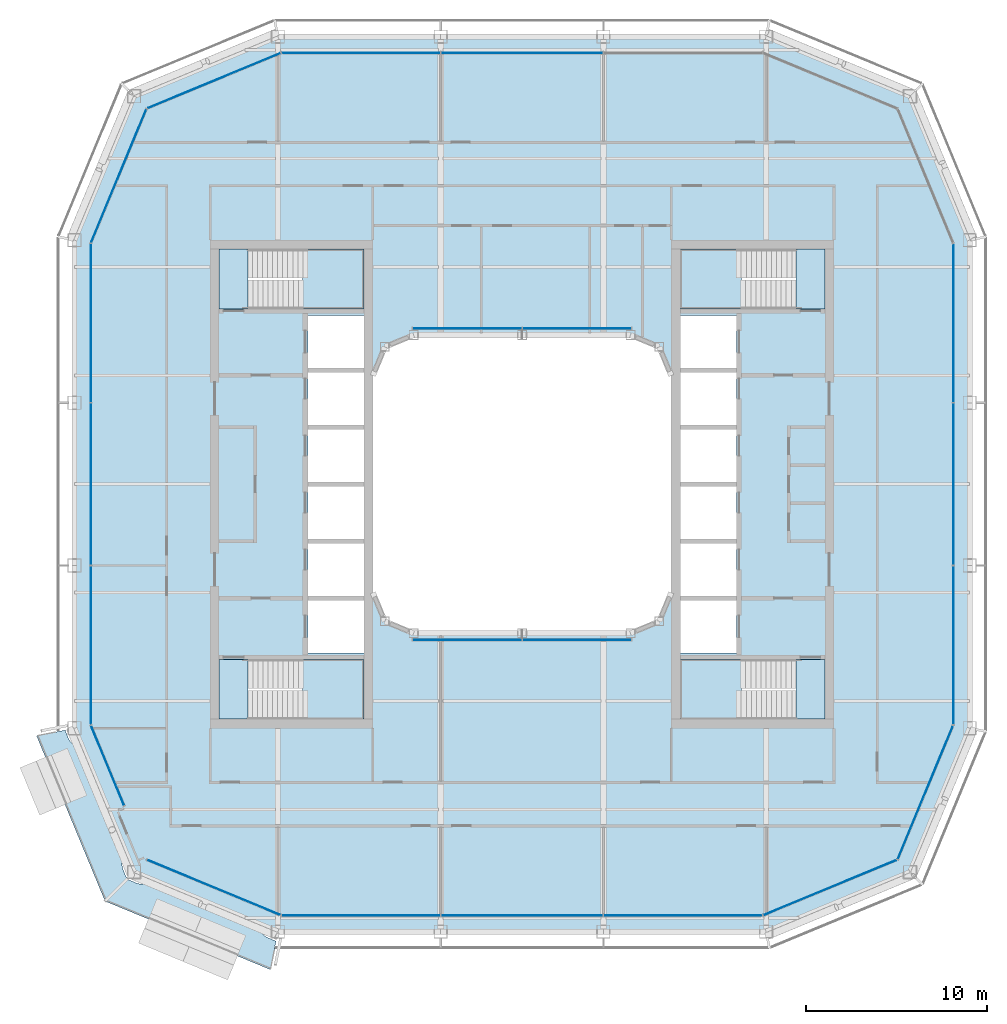
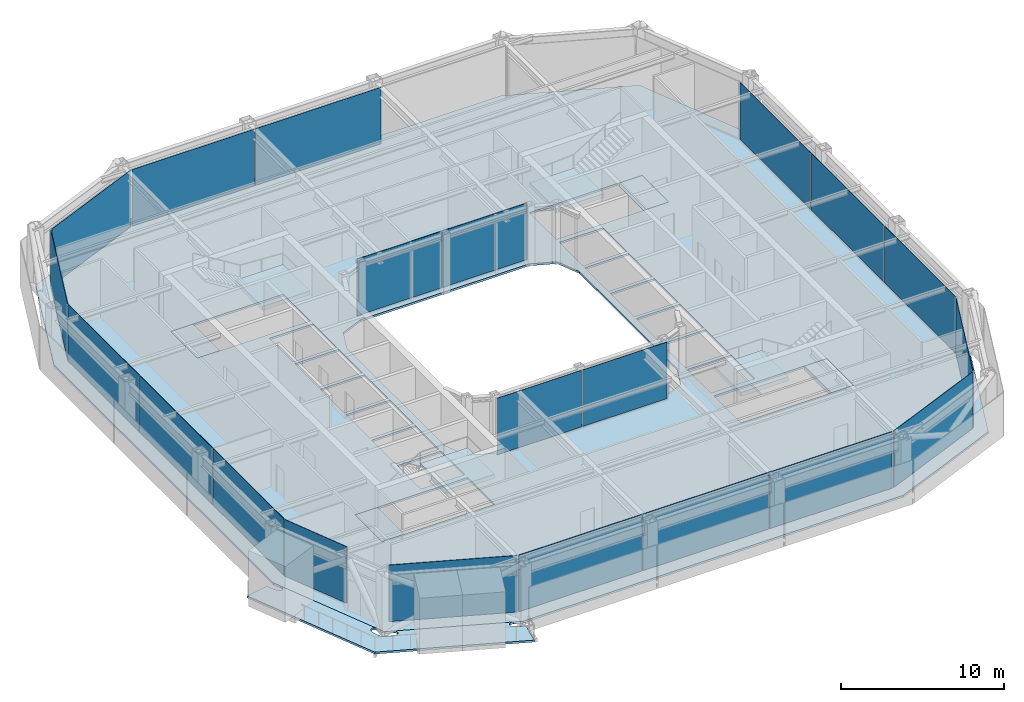
# One storey, part 9 of 20: 21 plates, 10 slabs, 16 elements without a shape of their own.
"""IFC4 building model written with IfcOpenShell, lengths in metres."""

from ifc_helpers import new_model, si_unit, direction, frame, origin, origin_2d, place, context, subcontext, project, spatial, polyline, rectangle, outline, extrude, material, layer, layer_set, type_object, element, aggregate, save


model = new_model("IFC4")

# Units and contexts
model_context = context("Model", 3, precision=1e-05, world=origin(), true_north=direction((0.0, 1.0)))
body_context = subcontext(model_context, "Body", "Model", "MODEL_VIEW")
ifc_project = project(units=[si_unit("LENGTHUNIT", "METRE"), si_unit("AREAUNIT", "SQUARE_METRE"), si_unit("VOLUMEUNIT", "CUBIC_METRE"), si_unit("PLANEANGLEUNIT", "RADIAN"), si_unit("MASSUNIT", "GRAM", prefix="KILO")], contexts=[model_context])

# Site, building, storey
site_placement = place(None, origin())
site = spatial("IfcSite", under=ifc_project, at=site_placement, CompositionType="ELEMENT")
building_placement = place(site_placement, origin())
building = spatial("IfcBuilding", under=site, at=building_placement, Name="Siwar Civic Tower", CompositionType="ELEMENT")
storey_placement = place(building_placement, frame((0.0, 0.0, 316.699951171875)))
storey = spatial("IfcBuildingStorey", under=building, at=storey_placement, Name="L68", CompositionType="ELEMENT", Elevation=316.699951171875)

# Stair, slabs
ifc_material_1 = material(Name="Concrete C40/50", Category="concrete")
stair_type = type_object("IfcStairType", Name="CORE-STAIR", PredefinedType="TWO_STRAIGHT_RUN_STAIR", material=ifc_material_1)
stair_1_placement = place(storey_placement, origin())
stair_1 = element("IfcStair", 1, at=stair_1_placement, inside=storey, type_object=stair_type, Name="Exit stair ST1", PredefinedType="TWO_STRAIGHT_RUN_STAIR")
ifc_material_2 = material(Name="Concrete C40/50", Category="concrete")
ifc_layer_1 = layer(ifc_material_2, 0.300048828125)
ifc_layer_set_1 = layer_set([ifc_layer_1], Name="Concrete C40/50")
slab_type_1 = type_object("IfcSlabType", Name="CORE-STAIR-LANDING", PredefinedType="LANDING", material=ifc_layer_set_1)
slab_1_placement = place(storey_placement, frame((0.0, 0.0, -0.300048828125)))
slab_1 = element("IfcSlab", 2, at=slab_1_placement, type_object=slab_type_1, Name="ST1 landing 1", PredefinedType="LANDING", context=body_context, shape_type="SweptSolid", body=[
    extrude(outline(polyline([(-15.14990234375, 13.0), (-16.75, 13.0), (-16.75, 9.699951171875), (-15.14990234375, 9.699951171875), (-15.14990234375, 13.0)])), origin(), (0.0, 0.0, 1.0), 0.300048828125),
])
slab_2_placement = place(storey_placement, frame((0.0, 0.0, 1.949951171875)))
slab_2 = element("IfcSlab", 3, at=slab_2_placement, type_object=slab_type_1, Name="ST1 landing 2", PredefinedType="LANDING", context=body_context, shape_type="SweptSolid", body=[
    extrude(outline(polyline([(-8.75, 13.0), (-12.139892578125, 13.0), (-12.139892578125, 9.699951171875), (-8.75, 9.699951171875), (-8.75, 13.0)])), origin(), (0.0, 0.0, 1.0), 0.300048828125),
])
aggregate(stair_1, [slab_1, slab_2])

stair_2_placement = place(storey_placement, origin())
stair_2 = element("IfcStair", 4, at=stair_2_placement, inside=storey, type_object=stair_type, Name="Exit stair ST2", PredefinedType="TWO_STRAIGHT_RUN_STAIR")
slab_3_placement = place(storey_placement, frame((0.0, 0.0, -0.300048828125)))
slab_3 = element("IfcSlab", 5, at=slab_3_placement, type_object=slab_type_1, Name="ST2 landing 1", PredefinedType="LANDING", context=body_context, shape_type="SweptSolid", body=[
    extrude(outline(polyline([(-15.14990234375, -9.699951171875), (-16.75, -9.699951171875), (-16.75, -13.0), (-15.14990234375, -13.0), (-15.14990234375, -9.699951171875)])), origin(), (0.0, 0.0, 1.0), 0.300048828125),
])
slab_4_placement = place(storey_placement, frame((0.0, 0.0, 1.949951171875)))
slab_4 = element("IfcSlab", 6, at=slab_4_placement, type_object=slab_type_1, Name="ST2 landing 2", PredefinedType="LANDING", context=body_context, shape_type="SweptSolid", body=[
    extrude(outline(polyline([(-8.75, -9.699951171875), (-12.139892578125, -9.699951171875), (-12.139892578125, -13.0), (-8.75, -13.0), (-8.75, -9.699951171875)])), origin(), (0.0, 0.0, 1.0), 0.300048828125),
])
aggregate(stair_2, [slab_3, slab_4])

stair_3_placement = place(storey_placement, origin())
stair_3 = element("IfcStair", 7, at=stair_3_placement, inside=storey, type_object=stair_type, Name="Exit stair ST3", PredefinedType="TWO_STRAIGHT_RUN_STAIR")
slab_5_placement = place(storey_placement, frame((0.0, 0.0, -0.300048828125)))
slab_5 = element("IfcSlab", 8, at=slab_5_placement, type_object=slab_type_1, Name="ST3 landing 1", PredefinedType="LANDING", context=body_context, shape_type="SweptSolid", body=[
    extrude(outline(polyline([(15.14990234375, 9.699951171875), (16.75, 9.699951171875), (16.75, 13.0), (15.14990234375, 13.0), (15.14990234375, 9.699951171875)])), origin(), (0.0, 0.0, 1.0), 0.300048828125),
])
slab_6_placement = place(storey_placement, frame((0.0, 0.0, 1.949951171875)))
slab_6 = element("IfcSlab", 9, at=slab_6_placement, type_object=slab_type_1, Name="ST3 landing 2", PredefinedType="LANDING", context=body_context, shape_type="SweptSolid", body=[
    extrude(outline(polyline([(8.75, 9.699951171875), (12.139892578125, 9.699951171875), (12.139892578125, 13.0), (8.75, 13.0), (8.75, 9.699951171875)])), origin(), (0.0, 0.0, 1.0), 0.300048828125),
])
aggregate(stair_3, [slab_5, slab_6])

stair_4_placement = place(storey_placement, origin())
stair_4 = element("IfcStair", 10, at=stair_4_placement, inside=storey, type_object=stair_type, Name="Exit stair ST4", PredefinedType="TWO_STRAIGHT_RUN_STAIR")
slab_7_placement = place(storey_placement, frame((0.0, 0.0, -0.300048828125)))
slab_7 = element("IfcSlab", 11, at=slab_7_placement, type_object=slab_type_1, Name="ST4 landing 1", PredefinedType="LANDING", context=body_context, shape_type="SweptSolid", body=[
    extrude(outline(polyline([(15.14990234375, -13.0), (16.75, -13.0), (16.75, -9.699951171875), (15.14990234375, -9.699951171875), (15.14990234375, -13.0)])), origin(), (0.0, 0.0, 1.0), 0.300048828125),
])
slab_8_placement = place(storey_placement, frame((0.0, 0.0, 1.949951171875)))
slab_8 = element("IfcSlab", 12, at=slab_8_placement, type_object=slab_type_1, Name="ST4 landing 2", PredefinedType="LANDING", context=body_context, shape_type="SweptSolid", body=[
    extrude(outline(polyline([(8.75, -13.0), (12.139892578125, -13.0), (12.139892578125, -9.699951171875), (8.75, -9.699951171875), (8.75, -13.0)])), origin(), (0.0, 0.0, 1.0), 0.300048828125),
])
aggregate(stair_4, [slab_7, slab_8])

# Slab
ifc_material_3 = material(Name="Concrete C40/50", Category="concrete")
ifc_layer_2 = layer(ifc_material_3, 0.14990234375)
ifc_layer_set_2 = layer_set([ifc_layer_2], Name="Concrete C40/50")
slab_type_2 = type_object("IfcSlabType", Name="ENV-BALCONY DECK 150", PredefinedType="FLOOR", material=ifc_layer_set_2)
slab_9_placement = place(storey_placement, frame((0.0, 0.0, -0.1494140625)))
element("IfcSlab", 13, at=slab_9_placement, inside=storey, type_object=slab_type_2, Name="Tree balcony deck SW", PredefinedType="FLOOR", context=body_context, shape_type="SweptSolid", body=[
    extrude(outline(polyline([(-21.7890625, -21.848876953125), (-21.794189453125, -21.8466796875), (-21.800537109375, -21.84326171875), (-21.806396484375, -21.839111328125), (-21.818359375, -21.829833984375), (-21.829833984375, -21.829833984375), (-21.829833984375, -21.820556640625), (-21.833251953125, -21.817626953125), (-21.849365234375, -21.801025390625), (-21.85302734375, -21.796875), (-21.856689453125, -21.79248046875), (-21.869873046875, -21.77392578125), (-21.873046875, -21.76904296875), (-21.875732421875, -21.76416015625), (-21.88623046875, -21.743896484375), (-21.888671875, -21.738525390625), (-21.888671875, -21.738525390625), (-21.8955078125, -21.72216796875), (-21.949951171875, -21.5908203125), (-22.014892578125, -21.43505859375), (-22.035400390625, -21.3857421875), (-22.042236328125, -21.369384765625), (-22.04296875, -21.367431640625), (-22.06640625, -21.306396484375), (-22.068115234375, -21.3017578125), (-22.0849609375, -21.247802734375), (-22.086181640625, -21.243408203125), (-22.099853515625, -21.1884765625), (-22.101318359375, -21.181396484375), (-22.108154296875, -21.134033203125), (-22.1083984375, -21.1328125), (-22.11572265625, -21.07666015625), (-22.1162109375, -21.070068359375), (-22.1162109375, -21.0634765625), (-22.112060546875, -20.975830078125), (-22.11083984375, -20.965087890625), (-22.103271484375, -20.92578125), (-22.101318359375, -20.91796875), (-22.0986328125, -20.910400390625), (-22.08544921875, -20.8798828125), (-22.08349609375, -20.875732421875), (-22.068603515625, -20.84619140625), (-22.06494140625, -20.839599609375), (-22.060546875, -20.833251953125), (-22.055419921875, -20.82763671875), (-22.03564453125, -20.80712890625), (-22.030517578125, -20.802490234375), (-22.02490234375, -20.798095703125), (-22.01904296875, -20.794189453125), (-22.0126953125, -20.791015625), (-21.988525390625, -20.780029296875), (-21.984375, -20.7783203125), (-21.959716796875, -20.76904296875), (-21.952880859375, -20.7666015625), (-21.946044921875, -20.76513671875), (-21.93896484375, -20.76416015625), (-21.931884765625, -20.763916015625), (-21.903564453125, -20.764404296875), (-21.89599609375, -20.764892578125), (-21.888427734375, -20.76611328125), (-21.881103515625, -20.76806640625), (-21.849609375, -20.778564453125), (-21.845458984375, -20.780029296875), (-21.814453125, -20.792236328125), (-21.80712890625, -20.795654296875), (-21.800048828125, -20.7998046875), (-21.766845703125, -20.822021484375), (-21.758544921875, -20.82861328125), (-21.693359375, -20.887451171875), (-21.688720703125, -20.89208984375), (-21.6875, -20.8935546875), (-24.516357421875, -14.063720703125), (-24.51123046875, -14.103759765625), (-24.5107421875, -14.1103515625), (-24.5107421875, -14.116943359375), (-24.514892578125, -14.20458984375), (-24.51611328125, -14.21533203125), (-24.523681640625, -14.254638671875), (-24.525634765625, -14.262451171875), (-24.5283203125, -14.27001953125), (-24.54150390625, -14.300537109375), (-24.54345703125, -14.3046875), (-24.558349609375, -14.33447265625), (-24.56201171875, -14.341064453125), (-24.56640625, -14.34716796875), (-24.571533203125, -14.352783203125), (-24.591064453125, -14.373291015625), (-24.596435546875, -14.378173828125), (-24.601806640625, -14.382568359375), (-24.60791015625, -14.38623046875), (-24.6142578125, -14.389404296875), (-24.638427734375, -14.400390625), (-24.642578125, -14.402099609375), (-24.667236328125, -14.41162109375), (-24.674072265625, -14.413818359375), (-24.680908203125, -14.415283203125), (-24.68798828125, -14.416259765625), (-24.695068359375, -14.41650390625), (-24.723388671875, -14.416015625), (-24.73095703125, -14.41552734375), (-24.738525390625, -14.414306640625), (-24.745849609375, -14.412353515625), (-24.77734375, -14.402099609375), (-24.781494140625, -14.400634765625), (-24.8125, -14.388427734375), (-24.81982421875, -14.385009765625), (-24.82666015625, -14.380859375), (-24.860107421875, -14.3583984375), (-24.868408203125, -14.351806640625), (-24.93359375, -14.29296875), (-24.938232421875, -14.288330078125), (-24.942626953125, -14.283203125), (-24.977294921875, -14.238525390625), (-24.97802734375, -14.237548828125), (-25.006591796875, -14.19921875), (-25.0107421875, -14.193115234375), (-25.0400390625, -14.144775390625), (-25.042236328125, -14.140869140625), (-25.068603515625, -14.0908203125), (-25.07080078125, -14.08642578125), (-25.09765625, -14.02685546875), (-25.098388671875, -14.02490234375), (-25.101806640625, -14.0166015625), (-25.118896484375, -13.9755859375), (-25.194091796875, -13.795166015625), (-25.22802734375, -13.713134765625), (-25.24169921875, -13.68017578125), (-25.251953125, -13.65576171875), (-25.251953125, -13.65576171875), (-25.251953125, -13.65576171875), (-25.251953125, -13.65576171875), (-25.251953125, -13.65576171875), (-25.2548828125, -13.64794921875), (-25.25927734375, -13.632568359375), (-25.260986328125, -13.625), (-25.26220703125, -13.616943359375), (-25.26318359375, -13.60205078125), (-26.85009765625, -13.917724609375), (-23.062255859375, -23.062255859375), (-13.917724609375, -26.85009765625), (-13.6015625, -25.2607421875), (-13.61376953125, -25.2607421875), (-13.620361328125, -25.2607421875), (-13.627197265625, -25.259765625), (-13.6337890625, -25.258544921875), (-13.6455078125, -25.25537109375), (-13.65576171875, -25.251953125), (-13.68017578125, -25.24169921875), (-13.713134765625, -25.22802734375), (-13.795166015625, -25.194091796875), (-13.9755859375, -25.118896484375), (-14.0166015625, -25.101806640625), (-14.02490234375, -25.098388671875), (-14.02685546875, -25.09765625), (-14.08642578125, -25.07080078125), (-14.0908203125, -25.068603515625), (-14.140869140625, -25.042236328125), (-14.144775390625, -25.0400390625), (-14.193115234375, -25.0107421875), (-14.19921875, -25.006591796875), (-14.237548828125, -24.97802734375), (-14.238525390625, -24.977294921875), (-14.283203125, -24.942626953125), (-14.288330078125, -24.938232421875), (-14.29296875, -24.93359375), (-14.351806640625, -24.868408203125), (-14.3583984375, -24.860107421875), (-14.380859375, -24.82666015625), (-14.385009765625, -24.81982421875), (-14.388427734375, -24.8125), (-14.400634765625, -24.781494140625), (-14.402099609375, -24.77734375), (-14.412353515625, -24.745849609375), (-14.414306640625, -24.738525390625), (-14.41552734375, -24.73095703125), (-14.416015625, -24.723388671875), (-14.41650390625, -24.695068359375), (-14.416259765625, -24.68798828125), (-14.415283203125, -24.680908203125), (-14.413818359375, -24.674072265625), (-14.41162109375, -24.667236328125), (-14.402099609375, -24.642578125), (-14.400390625, -24.638427734375), (-14.389404296875, -24.6142578125), (-14.38623046875, -24.60791015625), (-14.382568359375, -24.601806640625), (-14.378173828125, -24.596435546875), (-14.373291015625, -24.591064453125), (-14.352783203125, -24.571533203125), (-14.34716796875, -24.56640625), (-14.341064453125, -24.56201171875), (-14.33447265625, -24.558349609375), (-14.3046875, -24.54345703125), (-14.300537109375, -24.54150390625), (-14.27001953125, -24.5283203125), (-14.262451171875, -24.525634765625), (-14.254638671875, -24.523681640625), (-14.21533203125, -24.51611328125), (-14.20458984375, -24.514892578125), (-14.116943359375, -24.5107421875), (-14.1103515625, -24.5107421875), (-14.103759765625, -24.51123046875), (-14.063720703125, -24.516357421875), (-20.8935546875, -21.6875), (-20.89208984375, -21.688720703125), (-20.887451171875, -21.693359375), (-20.82861328125, -21.758544921875), (-20.822021484375, -21.766845703125), (-20.7998046875, -21.800048828125), (-20.795654296875, -21.80712890625), (-20.792236328125, -21.814453125), (-20.780029296875, -21.845458984375), (-20.778564453125, -21.849609375), (-20.76806640625, -21.881103515625), (-20.76611328125, -21.888427734375), (-20.764892578125, -21.89599609375), (-20.764404296875, -21.903564453125), (-20.763916015625, -21.931884765625), (-20.76416015625, -21.93896484375), (-20.76513671875, -21.946044921875), (-20.7666015625, -21.952880859375), (-20.76904296875, -21.959716796875), (-20.7783203125, -21.984375), (-20.780029296875, -21.988525390625), (-20.791015625, -22.0126953125), (-20.794189453125, -22.01904296875), (-20.798095703125, -22.02490234375), (-20.802490234375, -22.030517578125), (-20.80712890625, -22.03564453125), (-20.82763671875, -22.055419921875), (-20.833251953125, -22.060546875), (-20.839599609375, -22.06494140625), (-20.84619140625, -22.068603515625), (-20.875732421875, -22.08349609375), (-20.8798828125, -22.08544921875), (-20.910400390625, -22.0986328125), (-20.91796875, -22.101318359375), (-20.92578125, -22.103271484375), (-20.965087890625, -22.11083984375), (-20.975830078125, -22.112060546875), (-21.0634765625, -22.1162109375), (-21.070068359375, -22.1162109375), (-21.07666015625, -22.11572265625), (-21.1328125, -22.1083984375), (-21.134033203125, -22.108154296875), (-21.181396484375, -22.101318359375), (-21.1884765625, -22.099853515625), (-21.243408203125, -22.086181640625), (-21.247802734375, -22.0849609375), (-21.3017578125, -22.068115234375), (-21.306396484375, -22.06640625), (-21.367431640625, -22.04296875), (-21.369384765625, -22.042236328125), (-21.3857421875, -22.035400390625), (-21.43505859375, -22.014892578125), (-21.5908203125, -21.949951171875), (-21.656494140625, -21.922607421875), (-21.72216796875, -21.8955078125), (-21.738525390625, -21.888671875), (-21.748046875, -21.8837890625), (-21.7587890625, -21.87744140625), (-21.76416015625, -21.873779296875), (-21.76953125, -21.86962890625), (-21.7744140625, -21.864990234375), (-21.783447265625, -21.855712890625), (-21.7880859375, -21.850341796875), (-21.78857421875, -21.849609375), (-21.7890625, -21.84912109375), (-21.7890625, -21.848876953125)])), origin(), (0.0, 0.0, 1.0), 0.1494140625),
])

# Curtain wall, plates
ifc_material_4 = material(Name="Aluminium and glass", Category="aluminium")
ifc_layer_3 = layer(ifc_material_4, 0.159912109375)
ifc_layer_set_3 = layer_set([ifc_layer_3], Name="Aluminium and glass")
curtain_wall_type_1 = type_object("IfcCurtainWallType", Name="ENV-CW-D", PredefinedType="NOTDEFINED", material=ifc_layer_set_3)
curtain_wall_1_placement = place(storey_placement, origin())
curtain_wall_1 = element("IfcCurtainWall", 14, at=curtain_wall_1_placement, inside=storey, type_object=curtain_wall_type_1, Name="Curtain wall D S", PredefinedType="NOTDEFINED")
ifc_material_5 = material(Name="Glass clear laminated", Category="glass")
ifc_layer_4 = layer(ifc_material_5, 0.030029296875)
ifc_layer_set_4 = layer_set([ifc_layer_4], Name="Glass clear laminated")
plate_type_1 = type_object("IfcPlateType", Name="ENV-PANEL-D", PredefinedType="CURTAIN_PANEL", material=ifc_layer_set_4)
plate_1_placement = place(storey_placement, frame((-8.910400390625, -23.85009765625, 0.10009765625), z_axis=(0.0, 0.0, 1.0), x_axis=(1.0, 0.0, 0.0)))
plate_1 = element("IfcPlate", 15, at=plate_1_placement, type_object=plate_type_1, Name="Curtain panel D S 1", PredefinedType="CURTAIN_PANEL", context=body_context, shape_type="SweptSolid", body=[
    extrude(rectangle(XDim=8.760986328125, YDim=0.030029296875, at=origin_2d()), origin(), (0.0, 0.0, 1.0), 4.25),
])
plate_2_placement = place(storey_placement, frame((0.0, -23.85009765625, 0.10009765625), z_axis=(0.0, 0.0, 1.0), x_axis=(1.0, 0.0, 0.0)))
plate_2 = element("IfcPlate", 16, at=plate_2_placement, type_object=plate_type_1, Name="Curtain panel D S 2", PredefinedType="CURTAIN_PANEL", context=body_context, shape_type="SweptSolid", body=[
    extrude(rectangle(XDim=8.93994140625, YDim=0.030029296875, at=origin_2d()), origin(), (0.0, 0.0, 1.0), 4.25),
])
plate_3_placement = place(storey_placement, frame((8.876708984375, -23.85009765625, 0.10009765625), z_axis=(0.0, 0.0, 1.0), x_axis=(1.0, 0.0, 0.0)))
plate_3 = element("IfcPlate", 17, at=plate_3_placement, type_object=plate_type_1, Name="Curtain panel D S 3", PredefinedType="CURTAIN_PANEL", context=body_context, shape_type="SweptSolid", body=[
    extrude(rectangle(XDim=8.693115234375, YDim=0.030029296875, at=origin_2d()), origin(), (0.0, 0.0, 1.0), 4.25),
])
aggregate(curtain_wall_1, [plate_1, plate_2, plate_3])

curtain_wall_2_placement = place(storey_placement, origin())
curtain_wall_2 = element("IfcCurtainWall", 18, at=curtain_wall_2_placement, inside=storey, type_object=curtain_wall_type_1, Name="Curtain wall D E", PredefinedType="NOTDEFINED")
plate_4_placement = place(storey_placement, frame((23.85009765625, -8.910400390625, 0.10009765625), z_axis=(0.0, 0.0, 1.0), x_axis=(0.0, 1.0, 0.0)))
plate_4 = element("IfcPlate", 19, at=plate_4_placement, type_object=plate_type_1, Name="Curtain panel D E 1", PredefinedType="CURTAIN_PANEL", context=body_context, shape_type="SweptSolid", body=[
    extrude(rectangle(XDim=8.760986328125, YDim=0.030029296875, at=origin_2d()), origin(), (0.0, 0.0, 1.0), 4.25),
])
plate_5_placement = place(storey_placement, frame((23.85009765625, 0.0, 0.10009765625), z_axis=(0.0, 0.0, 1.0), x_axis=(0.0, 1.0, 0.0)))
plate_5 = element("IfcPlate", 20, at=plate_5_placement, type_object=plate_type_1, Name="Curtain panel D E 2", PredefinedType="CURTAIN_PANEL", context=body_context, shape_type="SweptSolid", body=[
    extrude(rectangle(XDim=8.93994140625, YDim=0.030029296875, at=origin_2d()), origin(), (0.0, 0.0, 1.0), 4.25),
])
plate_6_placement = place(storey_placement, frame((23.85009765625, 8.876708984375, 0.10009765625), z_axis=(0.0, 0.0, 1.0), x_axis=(0.0, 1.0, 0.0)))
plate_6 = element("IfcPlate", 21, at=plate_6_placement, type_object=plate_type_1, Name="Curtain panel D E 3", PredefinedType="CURTAIN_PANEL", context=body_context, shape_type="SweptSolid", body=[
    extrude(rectangle(XDim=8.693115234375, YDim=0.030029296875, at=origin_2d()), origin(), (0.0, 0.0, 1.0), 4.25),
])
aggregate(curtain_wall_2, [plate_4, plate_5, plate_6])

curtain_wall_3_placement = place(storey_placement, origin())
curtain_wall_3 = element("IfcCurtainWall", 22, at=curtain_wall_3_placement, inside=storey, type_object=curtain_wall_type_1, Name="Curtain wall D N", PredefinedType="NOTDEFINED")
plate_7_placement = place(storey_placement, frame((0.0, 23.85009765625, 0.10009765625), z_axis=(0.0, 0.0, 1.0), x_axis=(-1.0, 0.0, 0.0)))
plate_7 = element("IfcPlate", 23, at=plate_7_placement, type_object=plate_type_1, Name="Curtain panel D N 2", PredefinedType="CURTAIN_PANEL", context=body_context, shape_type="SweptSolid", body=[
    extrude(rectangle(XDim=8.93994140625, YDim=0.030029296875, at=origin_2d()), origin(), (0.0, 0.0, 1.0), 4.25),
])
plate_8_placement = place(storey_placement, frame((-8.876708984375, 23.85009765625, 0.10009765625), z_axis=(0.0, 0.0, 1.0), x_axis=(-1.0, 0.0, 0.0)))
plate_8 = element("IfcPlate", 24, at=plate_8_placement, type_object=plate_type_1, Name="Curtain panel D N 3", PredefinedType="CURTAIN_PANEL", context=body_context, shape_type="SweptSolid", body=[
    extrude(rectangle(XDim=8.693115234375, YDim=0.030029296875, at=origin_2d()), origin(), (0.0, 0.0, 1.0), 4.25),
])
aggregate(curtain_wall_3, [plate_7, plate_8])

curtain_wall_4_placement = place(storey_placement, origin())
curtain_wall_4 = element("IfcCurtainWall", 25, at=curtain_wall_4_placement, inside=storey, type_object=curtain_wall_type_1, Name="Curtain wall D W", PredefinedType="NOTDEFINED")
plate_9_placement = place(storey_placement, frame((-23.85009765625, 8.910400390625, 0.10009765625), z_axis=(0.0, 0.0, 1.0), x_axis=(0.0, -1.0, 0.0)))
plate_9 = element("IfcPlate", 26, at=plate_9_placement, type_object=plate_type_1, Name="Curtain panel D W 1", PredefinedType="CURTAIN_PANEL", context=body_context, shape_type="SweptSolid", body=[
    extrude(rectangle(XDim=8.760986328125, YDim=0.030029296875, at=origin_2d()), origin(), (0.0, 0.0, 1.0), 4.25),
])
plate_10_placement = place(storey_placement, frame((-23.85009765625, 0.0, 0.10009765625), z_axis=(0.0, 0.0, 1.0), x_axis=(0.0, -1.0, 0.0)))
plate_10 = element("IfcPlate", 27, at=plate_10_placement, type_object=plate_type_1, Name="Curtain panel D W 2", PredefinedType="CURTAIN_PANEL", context=body_context, shape_type="SweptSolid", body=[
    extrude(rectangle(XDim=8.93994140625, YDim=0.030029296875, at=origin_2d()), origin(), (0.0, 0.0, 1.0), 4.25),
])
plate_11_placement = place(storey_placement, frame((-23.85009765625, -8.876708984375, 0.10009765625), z_axis=(0.0, 0.0, 1.0), x_axis=(0.0, -1.0, 0.0)))
plate_11 = element("IfcPlate", 28, at=plate_11_placement, type_object=plate_type_1, Name="Curtain panel D W 3", PredefinedType="CURTAIN_PANEL", context=body_context, shape_type="SweptSolid", body=[
    extrude(rectangle(XDim=8.693115234375, YDim=0.030029296875, at=origin_2d()), origin(), (0.0, 0.0, 1.0), 4.25),
])
aggregate(curtain_wall_4, [plate_9, plate_10, plate_11])

# Curtain wall, plate
ifc_material_6 = material(Name="Aluminium clad insulated panel", Category="aluminium")
ifc_layer_5 = layer(ifc_material_6, 0.159912109375)
ifc_layer_set_5 = layer_set([ifc_layer_5], Name="Aluminium clad insulated panel")
curtain_wall_type_2 = type_object("IfcCurtainWallType", Name="ENV-CW-DX", PredefinedType="NOTDEFINED", material=ifc_layer_set_5)
curtain_wall_5_placement = place(storey_placement, origin())
curtain_wall_5 = element("IfcCurtainWall", 29, at=curtain_wall_5_placement, inside=storey, type_object=curtain_wall_type_2, Name="Curtain wall D SE1", PredefinedType="NOTDEFINED")
ifc_material_7 = material(Name="Aluminium clad insulated panel", Category="aluminium")
ifc_layer_6 = layer(ifc_material_7, 0.030029296875)
ifc_layer_set_6 = layer_set([ifc_layer_6], Name="Aluminium clad insulated panel")
plate_type_2 = type_object("IfcPlateType", Name="ENV-PANEL-DX", PredefinedType="CURTAIN_PANEL", material=ifc_layer_set_6)
plate_12_placement = place(storey_placement, frame((17.01220703125, -22.321044921875, 0.10009765625), z_axis=(0.0, 0.0, 1.0), x_axis=(0.923879532511, 0.382683432365, 0.0)))
plate_12 = element("IfcPlate", 30, at=plate_12_placement, type_object=plate_type_2, Name="Curtain panel D SE1 1", PredefinedType="CURTAIN_PANEL", context=body_context, shape_type="SweptSolid", body=[
    extrude(rectangle(XDim=7.9306640625, YDim=0.030029296875, at=origin_2d()), origin(), (0.0, 0.0, 1.0), 4.25),
])
aggregate(curtain_wall_5, [plate_12])

curtain_wall_6_placement = place(storey_placement, origin())
curtain_wall_6 = element("IfcCurtainWall", 31, at=curtain_wall_6_placement, inside=storey, type_object=curtain_wall_type_2, Name="Curtain wall D SE2", PredefinedType="NOTDEFINED")
plate_13_placement = place(storey_placement, frame((22.295166015625, -17.074951171875, 0.10009765625), z_axis=(0.0, 0.0, 1.0), x_axis=(0.382683432365, 0.923879532511, 0.0)))
plate_13 = element("IfcPlate", 32, at=plate_13_placement, type_object=plate_type_2, Name="Curtain panel D SE2 1", PredefinedType="CURTAIN_PANEL", context=body_context, shape_type="SweptSolid", body=[
    extrude(rectangle(XDim=7.9306640625, YDim=0.030029296875, at=origin_2d()), origin(), (0.0, 0.0, 1.0), 4.25),
])
aggregate(curtain_wall_6, [plate_13])

curtain_wall_7_placement = place(storey_placement, origin())
curtain_wall_7 = element("IfcCurtainWall", 33, at=curtain_wall_7_placement, inside=storey, type_object=curtain_wall_type_2, Name="Curtain wall D NW1", PredefinedType="NOTDEFINED")
plate_14_placement = place(storey_placement, frame((-17.01220703125, 22.321044921875, 0.10009765625), z_axis=(0.0, 0.0, 1.0), x_axis=(-0.923879532511, -0.382683432365, 0.0)))
plate_14 = element("IfcPlate", 34, at=plate_14_placement, type_object=plate_type_2, Name="Curtain panel D NW1 1", PredefinedType="CURTAIN_PANEL", context=body_context, shape_type="SweptSolid", body=[
    extrude(rectangle(XDim=7.9306640625, YDim=0.030029296875, at=origin_2d()), origin(), (0.0, 0.0, 1.0), 4.25),
])
aggregate(curtain_wall_7, [plate_14])

curtain_wall_8_placement = place(storey_placement, origin())
curtain_wall_8 = element("IfcCurtainWall", 35, at=curtain_wall_8_placement, inside=storey, type_object=curtain_wall_type_2, Name="Curtain wall D NW2", PredefinedType="NOTDEFINED")
plate_15_placement = place(storey_placement, frame((-22.295166015625, 17.074951171875, 0.10009765625), z_axis=(0.0, 0.0, 1.0), x_axis=(-0.382683432365, -0.923879532511, 0.0)))
plate_15 = element("IfcPlate", 36, at=plate_15_placement, type_object=plate_type_2, Name="Curtain panel D NW2 1", PredefinedType="CURTAIN_PANEL", context=body_context, shape_type="SweptSolid", body=[
    extrude(rectangle(XDim=7.9306640625, YDim=0.030029296875, at=origin_2d()), origin(), (0.0, 0.0, 1.0), 4.25),
])
aggregate(curtain_wall_8, [plate_15])

curtain_wall_9_placement = place(storey_placement, origin())
curtain_wall_9 = element("IfcCurtainWall", 37, at=curtain_wall_9_placement, inside=storey, type_object=curtain_wall_type_2, Name="Curtain wall D SW1", PredefinedType="NOTDEFINED")
plate_16_placement = place(storey_placement, frame((-22.922607421875, -15.56005859375, 0.10009765625), z_axis=(0.0, 0.0, 1.0), x_axis=(0.382683432365, -0.923879532511, 0.0)))
plate_16 = element("IfcPlate", 38, at=plate_16_placement, type_object=plate_type_2, Name="Curtain panel D SW1 1", PredefinedType="CURTAIN_PANEL", context=body_context, shape_type="SweptSolid", body=[
    extrude(rectangle(XDim=4.787109375, YDim=0.030029296875, at=origin_2d()), origin(), (0.0, 0.0, 1.0), 4.25),
])
aggregate(curtain_wall_9, [plate_16])

curtain_wall_10_placement = place(storey_placement, origin())
curtain_wall_10 = element("IfcCurtainWall", 39, at=curtain_wall_10_placement, inside=storey, type_object=curtain_wall_type_2, Name="Curtain wall D SW2", PredefinedType="NOTDEFINED")
plate_17_placement = place(storey_placement, frame((-17.074951171875, -22.295166015625, 0.10009765625), z_axis=(0.0, 0.0, 1.0), x_axis=(0.923879532511, -0.382683432365, 0.0)))
plate_17 = element("IfcPlate", 40, at=plate_17_placement, type_object=plate_type_2, Name="Curtain panel D SW2 1", PredefinedType="CURTAIN_PANEL", context=body_context, shape_type="SweptSolid", body=[
    extrude(rectangle(XDim=7.9306640625, YDim=0.030029296875, at=origin_2d()), origin(), (0.0, 0.0, 1.0), 4.25),
])
aggregate(curtain_wall_10, [plate_17])

# Curtain wall, plates
ifc_material_8 = material(Name="Aluminium and glass", Category="aluminium")
ifc_layer_7 = layer(ifc_material_8, 0.179931640625)
ifc_layer_set_7 = layer_set([ifc_layer_7], Name="Aluminium and glass")
curtain_wall_type_3 = type_object("IfcCurtainWallType", Name="ENV-CW-W", PredefinedType="NOTDEFINED", material=ifc_layer_set_7)
curtain_wall_11_placement = place(storey_placement, origin())
curtain_wall_11 = element("IfcCurtainWall", 41, at=curtain_wall_11_placement, inside=storey, type_object=curtain_wall_type_3, Name="Curtain wall W WS", PredefinedType="NOTDEFINED")
ifc_material_9 = material(Name="Glass clear laminated", Category="glass")
ifc_layer_8 = layer(ifc_material_9, 0.031982421875)
ifc_layer_set_8 = layer_set([ifc_layer_8], Name="Glass clear laminated")
plate_type_3 = type_object("IfcPlateType", Name="ENV-PANEL-W", PredefinedType="CURTAIN_PANEL", material=ifc_layer_set_8)
plate_18_placement = place(storey_placement, frame((-3.035888671875, -8.610107421875, 0.10009765625), z_axis=(0.0, 0.0, 1.0), x_axis=(1.0, 0.0, 0.0)))
plate_18 = element("IfcPlate", 42, at=plate_18_placement, type_object=plate_type_3, Name="Curtain panel W WS 1", PredefinedType="CURTAIN_PANEL", context=body_context, shape_type="SweptSolid", body=[
    extrude(rectangle(XDim=6.01171875, YDim=0.031982421875, at=origin_2d()), origin(), (0.0, 0.0, 1.0), 4.25),
])
plate_19_placement = place(storey_placement, frame((3.035888671875, -8.610107421875, 0.10009765625), z_axis=(0.0, 0.0, 1.0), x_axis=(1.0, 0.0, 0.0)))
plate_19 = element("IfcPlate", 43, at=plate_19_placement, type_object=plate_type_3, Name="Curtain panel W WS 2", PredefinedType="CURTAIN_PANEL", context=body_context, shape_type="SweptSolid", body=[
    extrude(rectangle(XDim=6.01171875, YDim=0.031982421875, at=origin_2d()), origin(), (0.0, 0.0, 1.0), 4.25),
])
aggregate(curtain_wall_11, [plate_18, plate_19])

curtain_wall_12_placement = place(storey_placement, origin())
curtain_wall_12 = element("IfcCurtainWall", 44, at=curtain_wall_12_placement, inside=storey, type_object=curtain_wall_type_3, Name="Curtain wall W WN", PredefinedType="NOTDEFINED")
plate_20_placement = place(storey_placement, frame((3.035888671875, 8.610107421875, 0.10009765625), z_axis=(0.0, 0.0, 1.0), x_axis=(-1.0, 0.0, 0.0)))
plate_20 = element("IfcPlate", 45, at=plate_20_placement, type_object=plate_type_3, Name="Curtain panel W WN 1", PredefinedType="CURTAIN_PANEL", context=body_context, shape_type="SweptSolid", body=[
    extrude(rectangle(XDim=6.01171875, YDim=0.031982421875, at=origin_2d()), origin(), (0.0, 0.0, 1.0), 4.25),
])
plate_21_placement = place(storey_placement, frame((-3.035888671875, 8.610107421875, 0.10009765625), z_axis=(0.0, 0.0, 1.0), x_axis=(-1.0, 0.0, 0.0)))
plate_21 = element("IfcPlate", 46, at=plate_21_placement, type_object=plate_type_3, Name="Curtain panel W WN 2", PredefinedType="CURTAIN_PANEL", context=body_context, shape_type="SweptSolid", body=[
    extrude(rectangle(XDim=6.01171875, YDim=0.031982421875, at=origin_2d()), origin(), (0.0, 0.0, 1.0), 4.25),
])
aggregate(curtain_wall_12, [plate_20, plate_21])

# Slab
ifc_material_10 = material(Name="Concrete C40/50", Category="concrete")
ifc_layer_9 = layer(ifc_material_10, 0.14990234375)
ifc_layer_set_9 = layer_set([ifc_layer_9], Name="Concrete C40/50")
slab_type_3 = type_object("IfcSlabType", Name="STR-FLOOR-DECK-150", PredefinedType="FLOOR", material=ifc_layer_set_9)
slab_10_placement = place(storey_placement, frame((0.0, 0.0, -0.14990234375)))
element("IfcSlab", 47, at=slab_10_placement, inside=storey, type_object=slab_type_3, Name="L68/slab/1", PredefinedType="FLOOR", context=body_context, shape_type="SweptSolid", body=[
    extrude(outline(polyline([(-13.5, -24.75), (13.5, -24.75), (21.454833984375, -21.454833984375), (24.75, -13.5), (24.75, 13.5), (21.454833984375, 21.454833984375), (13.5, 24.75), (-13.5, 24.75), (-21.454833984375, 21.454833984375), (-24.75, 13.5), (-24.75, -13.5), (-21.454833984375, -21.454833984375), (-13.5, -24.75)]), holes=[polyline([(16.75, 13.0), (16.75, 9.699951171875), (8.75, 9.699951171875), (8.75, 13.0), (16.75, 13.0)]), polyline([(8.75, -9.699951171875), (16.75, -9.699951171875), (16.75, -13.0), (8.75, -13.0), (8.75, -9.699951171875)]), polyline([(11.85009765625, 9.324951171875), (11.85009765625, 6.425048828125), (8.75, 6.425048828125), (8.75, 9.324951171875), (11.85009765625, 9.324951171875)]), polyline([(8.75, 6.175048828125), (11.85009765625, 6.175048828125), (11.85009765625, 3.27490234375), (8.75, 3.27490234375), (8.75, 6.175048828125)]), polyline([(8.75, 3.02490234375), (11.85009765625, 3.02490234375), (11.85009765625, 0.125), (8.75, 0.125), (8.75, 3.02490234375)]), polyline([(8.75, -0.125), (11.85009765625, -0.125), (11.85009765625, -3.02490234375), (8.75, -3.02490234375), (8.75, -0.125)]), polyline([(8.75, -3.27490234375), (11.85009765625, -3.27490234375), (11.85009765625, -6.175048828125), (8.75, -6.175048828125), (8.75, -3.27490234375)]), polyline([(8.75, -6.425048828125), (11.85009765625, -6.425048828125), (11.85009765625, -9.324951171875), (8.75, -9.324951171875), (8.75, -6.425048828125)]), polyline([(-6.0, 8.25), (6.0, 8.25), (7.591064453125, 7.591064453125), (8.25, 6.0), (8.25, -6.0), (7.591064453125, -7.591064453125), (6.0, -8.25), (-6.0, -8.25), (-7.591064453125, -7.591064453125), (-8.25, -6.0), (-8.25, 6.0), (-7.591064453125, 7.591064453125), (-6.0, 8.25)]), polyline([(-8.75, -13.0), (-16.75, -13.0), (-16.75, -9.699951171875), (-8.75, -9.699951171875), (-8.75, -13.0)]), polyline([(-8.75, 9.699951171875), (-16.75, 9.699951171875), (-16.75, 13.0), (-8.75, 13.0), (-8.75, 9.699951171875)]), polyline([(-8.75, 6.425048828125), (-11.85009765625, 6.425048828125), (-11.85009765625, 9.324951171875), (-8.75, 9.324951171875), (-8.75, 6.425048828125)]), polyline([(-8.75, 3.27490234375), (-11.85009765625, 3.27490234375), (-11.85009765625, 6.175048828125), (-8.75, 6.175048828125), (-8.75, 3.27490234375)]), polyline([(-8.75, 0.125), (-11.85009765625, 0.125), (-11.85009765625, 3.02490234375), (-8.75, 3.02490234375), (-8.75, 0.125)]), polyline([(-8.75, -3.02490234375), (-11.85009765625, -3.02490234375), (-11.85009765625, -0.125), (-8.75, -0.125), (-8.75, -3.02490234375)]), polyline([(-8.75, -6.175048828125), (-11.85009765625, -6.175048828125), (-11.85009765625, -3.27490234375), (-8.75, -3.27490234375), (-8.75, -6.175048828125)]), polyline([(-8.75, -9.324951171875), (-11.85009765625, -9.324951171875), (-11.85009765625, -6.425048828125), (-8.75, -6.425048828125), (-8.75, -9.324951171875)])]), origin(), (0.0, 0.0, 1.0), 0.14990234375),
])

save(model, "model.ifc")
